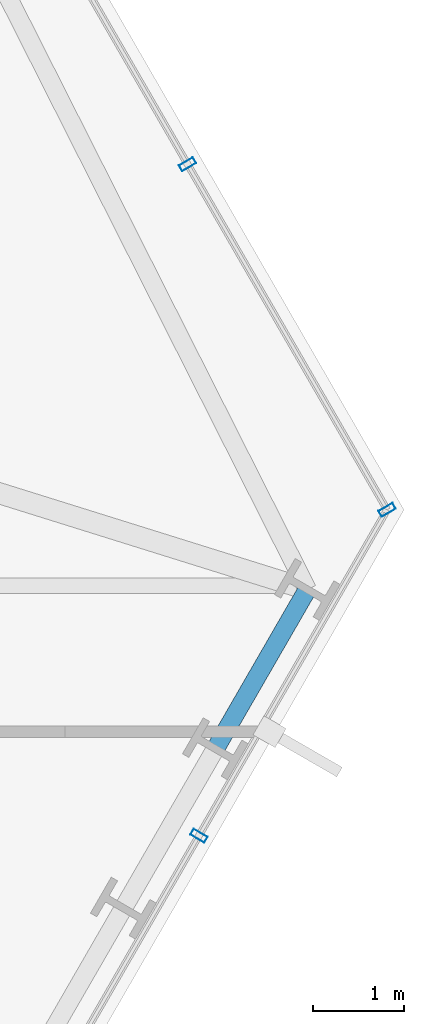
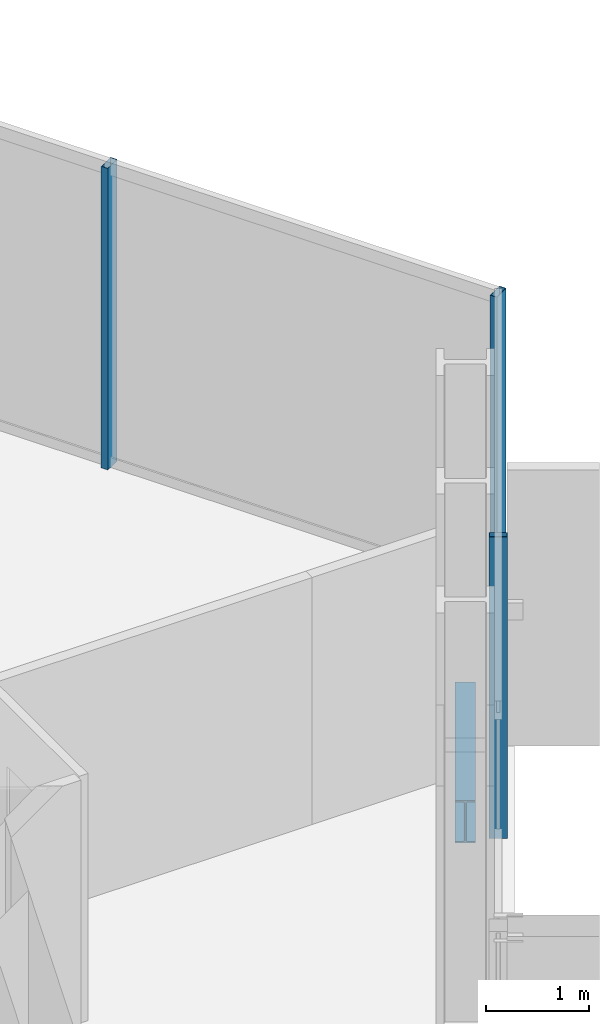
# One storey, part 16 of 33: 3 members, 1 beam, 2 elements without a shape of their own.
"""IFC4 building model written with IfcOpenShell, lengths in metres."""

from ifc_helpers import new_model, si_unit, direction, frame, origin, origin_2d, place, context, subcontext, project, spatial, hollow_rectangle, i_section, extrude, material, layer, layer_set, material_profile, profile_set, type_object, element, aggregate, save


model = new_model("IFC4")

# Units and contexts
model_context = context("Model", 3, precision=1e-05, world=origin(), true_north=direction((0.0, 1.0)))
body_context = subcontext(model_context, "Body", "Model", "MODEL_VIEW")
ifc_project = project(units=[si_unit("LENGTHUNIT", "METRE"), si_unit("AREAUNIT", "SQUARE_METRE"), si_unit("VOLUMEUNIT", "CUBIC_METRE"), si_unit("PLANEANGLEUNIT", "RADIAN"), si_unit("MASSUNIT", "GRAM", prefix="KILO")], contexts=[model_context])

# Site, building, storey
site_placement = place(None, origin())
site = spatial("IfcSite", under=ifc_project, at=site_placement, CompositionType="ELEMENT")
building_placement = place(site_placement, origin())
building = spatial("IfcBuilding", under=site, at=building_placement, Name="Ndaravel Arena Tower", CompositionType="ELEMENT")
storey_placement = place(building_placement, frame((0.0, 0.0, 39.800048828125)))
storey = spatial("IfcBuildingStorey", under=building, at=storey_placement, Name="L07", CompositionType="ELEMENT", Elevation=39.800048828125)

# Beam
ifc_material_1 = material(Name="Steel S355", Category="steel")
ifc_material_profile_1 = material_profile(ifc_material_1, i_section(OverallWidth=0.199951171875, OverallDepth=0.5, WebThickness=0.01025390625, FlangeThickness=0.01611328125, FilletRadius=0.02099609375, at=origin_2d()), Name="IPE 500")
ifc_profile_set_1 = profile_set([ifc_material_profile_1], Name="Steel S355")
beam_type = type_object("IfcBeamType", Name="BM-SPAN-IPE500", PredefinedType="SPANDREL", material=ifc_profile_set_1)
beam_placement = place(storey_placement, frame((63.6474609375, 16.814453125, -0.469970703125), z_axis=(0.499960381356, 0.866048276411, 0.0), x_axis=(-0.866048276411, 0.499960381356, 0.0)))
element("IfcBeam", 1, at=beam_placement, inside=storey, type_object=beam_type, Name="L07 Perimeter Spandrel Beam SP-08", PredefinedType="SPANDREL", context=body_context, shape_type="SweptSolid", body=[
    extrude(i_section(OverallWidth=0.199951171875, OverallDepth=0.5, WebThickness=0.01025390625, FlangeThickness=0.01611328125, FilletRadius=0.02099609375, at=origin_2d()), origin(), (0.0, 0.0, 1.0), 2.013427734375),
])

# Curtain wall, member
ifc_material_2 = material(Name="Aluminium", Category="aluminium")
ifc_layer_1 = layer(ifc_material_2, 0.179931640625)
ifc_layer_set_1 = layer_set([ifc_layer_1], Name="Aluminium")
curtain_wall_type_1 = type_object("IfcCurtainWallType", Name="CW-SYS-01", PredefinedType="NOTDEFINED", material=ifc_layer_set_1)
curtain_wall_1_placement = place(storey_placement, origin())
curtain_wall_1 = element("IfcCurtainWall", 2, at=curtain_wall_1_placement, inside=storey, type_object=curtain_wall_type_1, Name="L07 Faceted Crystal Curtain Wall CW-L07-E02", PredefinedType="NOTDEFINED")
ifc_material_3 = material(Name="Aluminium", Category="aluminium")
ifc_material_profile_2 = material_profile(ifc_material_3, hollow_rectangle(XDim=0.074951171875, YDim=0.179931640625, WallThickness=0.00390625, at=origin_2d()), Name="CW MULLION 75x180x4")
ifc_profile_set_2 = profile_set([ifc_material_profile_2], Name="Aluminium")
member_type = type_object("IfcMemberType", Name="MEM-CW-MUL180", PredefinedType="MULLION", material=ifc_profile_set_2)
member_1_placement = place(storey_placement, frame((63.46728515625, 15.862548828125, 0.0), z_axis=(0.0, 0.0, 1.0), x_axis=(0.5, 0.866025403784, 0.0)))
member_1 = element("IfcMember", 3, at=member_1_placement, type_object=member_type, Name="CW-L07-E02 Mullion 03", PredefinedType="MULLION", context=body_context, shape_type="SweptSolid", body=[
    extrude(hollow_rectangle(XDim=0.074951171875, YDim=0.179931640625, WallThickness=0.00390625, at=origin_2d()), origin(), (0.0, 0.0, 1.0), 3.579833984375),
])
aggregate(curtain_wall_1, [member_1])

# Curtain wall, members
ifc_material_4 = material(Name="Aluminium", Category="aluminium")
ifc_layer_2 = layer(ifc_material_4, 0.179931640625)
ifc_layer_set_2 = layer_set([ifc_layer_2], Name="Aluminium")
curtain_wall_type_2 = type_object("IfcCurtainWallType", Name="CW-SYS-03", PredefinedType="NOTDEFINED", material=ifc_layer_set_2)
curtain_wall_2_placement = place(storey_placement, origin())
curtain_wall_2 = element("IfcCurtainWall", 4, at=curtain_wall_2_placement, inside=storey, type_object=curtain_wall_type_2, Name="L07 Faceted Crystal Curtain Wall CW-L07-E03", PredefinedType="NOTDEFINED")
member_2_placement = place(storey_placement, frame((65.527099609375, 19.429931640625, 0.0), z_axis=(0.0, 0.0, 1.0), x_axis=(-0.5, 0.866025403784, 0.0)))
member_2 = element("IfcMember", 5, at=member_2_placement, type_object=member_type, Name="CW-L07-E03 Mullion 00", PredefinedType="MULLION", context=body_context, shape_type="SweptSolid", body=[
    extrude(hollow_rectangle(XDim=0.074951171875, YDim=0.179931640625, WallThickness=0.00390625, at=origin_2d()), origin(), (0.0, 0.0, 1.0), 3.579833984375),
])
member_3_placement = place(storey_placement, frame((63.343017578125, 23.212890625, 0.0), z_axis=(0.0, 0.0, 1.0), x_axis=(-0.5, 0.866025403784, 0.0)))
member_3 = element("IfcMember", 6, at=member_3_placement, type_object=member_type, Name="CW-L07-E03 Mullion 01", PredefinedType="MULLION", context=body_context, shape_type="SweptSolid", body=[
    extrude(hollow_rectangle(XDim=0.074951171875, YDim=0.179931640625, WallThickness=0.00390625, at=origin_2d()), origin(), (0.0, 0.0, 1.0), 3.579833984375),
])
aggregate(curtain_wall_2, [member_2, member_3])

save(model, "model.ifc")
